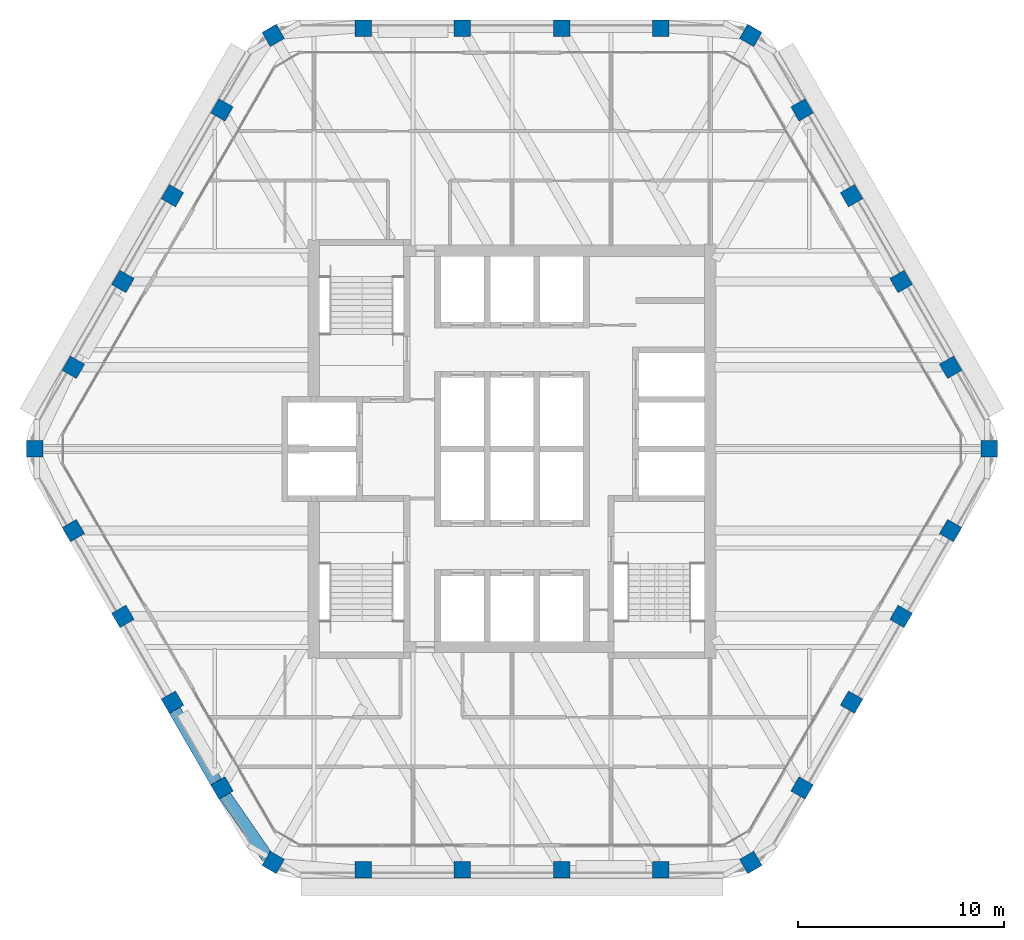
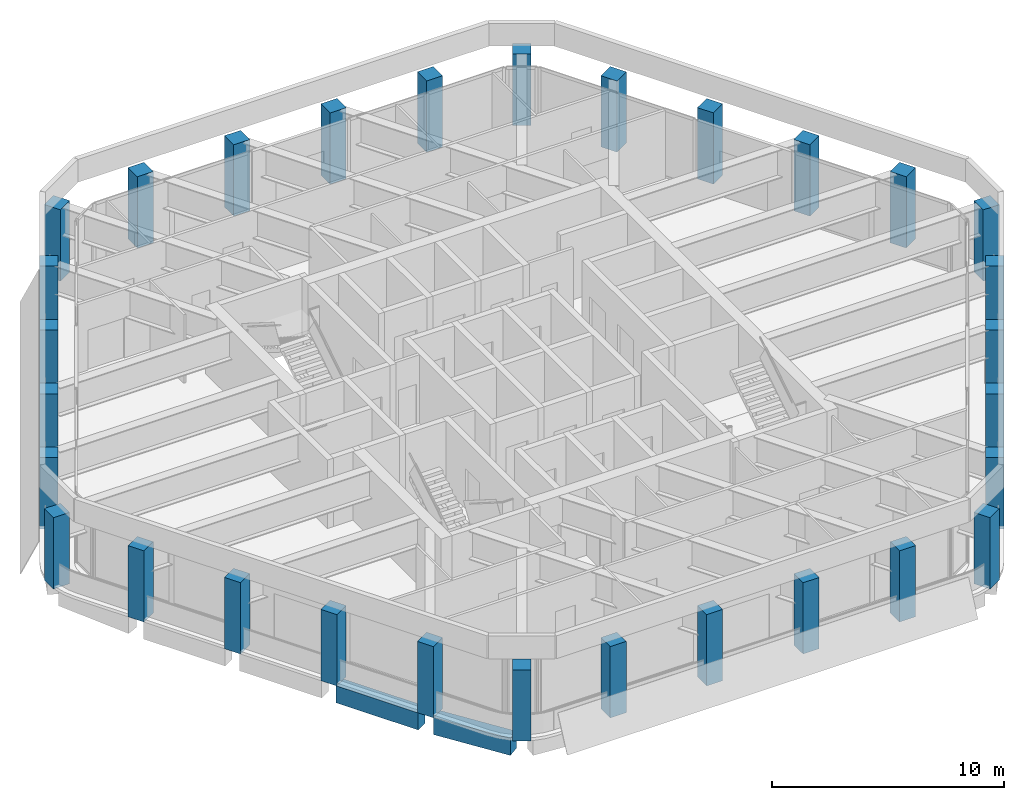
# One storey, part 1 of 14: 30 columns, 2 beams.
"""IFC4 building model written with IfcOpenShell, lengths in metres."""

from ifc_helpers import new_model, si_unit, direction, frame, origin, origin_2d, place, context, subcontext, project, spatial, rectangle, extrude, material, material_profile, profile_set, type_object, element, save


model = new_model("IFC4")

# Units and contexts
model_context = context("Model", 3, precision=1e-05, world=origin(), true_north=direction((0.0, 1.0)))
body_context = subcontext(model_context, "Body", "Model", "MODEL_VIEW")
ifc_project = project(units=[si_unit("LENGTHUNIT", "METRE"), si_unit("AREAUNIT", "SQUARE_METRE"), si_unit("VOLUMEUNIT", "CUBIC_METRE"), si_unit("PLANEANGLEUNIT", "RADIAN"), si_unit("MASSUNIT", "GRAM", prefix="KILO")], contexts=[model_context])

# Site, building, storey
site_placement = place(None, origin())
site = spatial("IfcSite", under=ifc_project, at=site_placement, CompositionType="ELEMENT")
building_placement = place(site_placement, origin())
building = spatial("IfcBuilding", under=site, at=building_placement, Name="Kolab Exchange Tower", CompositionType="ELEMENT")
storey_placement = place(building_placement, frame((0.0, 0.0, 293.0)))
storey = spatial("IfcBuildingStorey", under=building, at=storey_placement, Name="L66", CompositionType="ELEMENT", Elevation=293.0)

# Columns
ifc_material = material(Name="Concrete C50/60", Category="concrete")
ifc_material_profile_1 = material_profile(ifc_material, rectangle(XDim=0.800048828125, YDim=0.800048828125, at=origin_2d()), Name="RC800")
ifc_profile_set_1 = profile_set([ifc_material_profile_1], Name="Concrete C50/60")
column_type = type_object("IfcColumnType", Name="PERIMETER COLUMN 800 SQ C50/60", PredefinedType="COLUMN", material=ifc_profile_set_1)
for number, where, z_axis, x_axis, name in (
    (1, (-11.56787109375, 20.036376953125, -0.14990234375), (0.0, 0.0, 1.0), (0.866025403784, 0.5, 0.0), "col/L66/F1-01"),
    (2, (-7.199951171875, 20.384521484375, -0.14990234375), (0.0, 0.0, 1.0), (1.0, 0.0, 0.0), "col/L66/F1-02"),
    (3, (-2.39990234375, 20.384521484375, -0.14990234375), (0.0, 0.0, 1.0), (1.0, 0.0, 0.0), "col/L66/F1-03"),
    (4, (2.39990234375, 20.384521484375, -0.14990234375), (0.0, 0.0, 1.0), (1.0, 0.0, 0.0), "col/L66/F1-04"),
    (5, (7.199951171875, 20.384521484375, -0.14990234375), (0.0, 0.0, 1.0), (1.0, 0.0, 0.0), "col/L66/F1-05"),
    (6, (11.56787109375, 20.036376953125, -0.14990234375), (0.0, 0.0, 1.0), (0.5, 0.866025403784, 0.0), "col/L66/F2-01"),
    (7, (14.0537109375, 16.427734375, -0.14990234375), (0.0, 0.0, 1.0), (0.866025403784, 0.5, 0.0), "col/L66/F2-02"),
    (8, (16.45361328125, 12.270751953125, -0.14990234375), (0.0, 0.0, 1.0), (0.866025403784, 0.5, 0.0), "col/L66/F2-03"),
    (9, (18.853515625, 8.11376953125, -0.14990234375), (0.0, 0.0, 1.0), (0.866025403784, 0.5, 0.0), "col/L66/F2-04"),
    (10, (21.253662109375, 3.95703125, -0.14990234375), (0.0, 0.0, 1.0), (0.866025403784, 0.5, 0.0), "col/L66/F2-05"),
    (11, (23.135986328125, 0.0, -0.14990234375), (0.0, 0.0, 1.0), (1.0, 0.0, 0.0), "col/L66/F3-01"),
    (12, (21.253662109375, -3.95703125, -0.14990234375), (0.0, 0.0, 1.0), (0.5, 0.866025403784, 0.0), "col/L66/F3-02"),
    (13, (18.853515625, -8.11376953125, -0.14990234375), (0.0, 0.0, 1.0), (0.5, 0.866025403784, 0.0), "col/L66/F3-03"),
    (14, (16.45361328125, -12.270751953125, -0.14990234375), (0.0, 0.0, 1.0), (0.5, 0.866025403784, 0.0), "col/L66/F3-04"),
    (15, (14.0537109375, -16.427734375, -0.14990234375), (0.0, 0.0, 1.0), (0.5, 0.866025403784, 0.0), "col/L66/F3-05"),
    (16, (11.56787109375, -20.036376953125, -0.14990234375), (0.0, 0.0, 1.0), (0.866025403784, 0.5, 0.0), "col/L66/F4-01"),
    (17, (7.199951171875, -20.384521484375, -0.14990234375), (0.0, 0.0, 1.0), (1.0, 0.0, 0.0), "col/L66/F4-02"),
    (18, (2.39990234375, -20.384521484375, -0.14990234375), (0.0, 0.0, 1.0), (1.0, 0.0, 0.0), "col/L66/F4-03"),
    (19, (-2.39990234375, -20.384521484375, -0.14990234375), (0.0, 0.0, 1.0), (1.0, 0.0, 0.0), "col/L66/F4-04"),
    (20, (-7.199951171875, -20.384521484375, -0.14990234375), (0.0, 0.0, 1.0), (1.0, 0.0, 0.0), "col/L66/F4-05"),
    (21, (-11.56787109375, -20.036376953125, -0.14990234375), (0.0, 0.0, 1.0), (0.5, 0.866025403784, 0.0), "col/L66/F5-01"),
    (22, (-14.0537109375, -16.427734375, -0.14990234375), (0.0, 0.0, 1.0), (0.866025403784, 0.5, 0.0), "col/L66/F5-02"),
    (23, (-16.45361328125, -12.270751953125, -0.14990234375), (0.0, 0.0, 1.0), (0.866025403784, 0.5, 0.0), "col/L66/F5-03"),
    (24, (-18.853515625, -8.11376953125, -0.14990234375), (0.0, 0.0, 1.0), (0.866025403784, 0.5, 0.0), "col/L66/F5-04"),
    (25, (-21.253662109375, -3.95703125, -0.14990234375), (0.0, 0.0, 1.0), (0.866025403784, 0.5, 0.0), "col/L66/F5-05"),
    (26, (-23.135986328125, 0.0, -0.14990234375), (0.0, 0.0, 1.0), (1.0, 0.0, 0.0), "col/L66/F6-01"),
    (27, (-21.253662109375, 3.95703125, -0.14990234375), (0.0, 0.0, 1.0), (0.5, 0.866025403784, 0.0), "col/L66/F6-02"),
    (28, (-18.853515625, 8.11376953125, -0.14990234375), (0.0, 0.0, 1.0), (0.5, 0.866025403784, 0.0), "col/L66/F6-03"),
    (29, (-16.45361328125, 12.270751953125, -0.14990234375), (0.0, 0.0, 1.0), (0.5, 0.866025403784, 0.0), "col/L66/F6-04"),
    (30, (-14.0537109375, 16.427734375, -0.14990234375), (0.0, 0.0, 1.0), (0.5, 0.866025403784, 0.0), "col/L66/F6-05"),
):
    element("IfcColumn", number, at=place(storey_placement, frame(where, z_axis=z_axis, x_axis=x_axis)), inside=storey, type_object=column_type, Name=name, PredefinedType="COLUMN", context=body_context, shape_type="SweptSolid", body=[
        extrude(rectangle(XDim=0.800048828125, YDim=0.800048828125, at=origin_2d()), origin(), (0.0, 0.0, 1.0), 3.75),
    ])

# Beams
ifc_material_profile_2 = material_profile(ifc_material, rectangle(XDim=0.60009765625, YDim=0.89990234375, at=origin_2d()), Name="RC600X900")
ifc_profile_set_2 = profile_set([ifc_material_profile_2], Name="Concrete C50/60")
beam_type = type_object("IfcBeamType", Name="SPANDREL BEAM 600X900 C50/60", PredefinedType="BEAM", material=ifc_profile_set_2)
beam_1_placement = place(storey_placement, frame((-11.846923828125, -19.7919921875, -0.60009765625), z_axis=(-0.569005808573, 0.822333502789, 0.0), x_axis=(-0.822333502789, -0.569005808573, 0.0)))
element("IfcBeam", 31, at=beam_1_placement, inside=storey, type_object=beam_type, Name="beam/L66/sp/F5-01", PredefinedType="BEAM", context=body_context, shape_type="SweptSolid", body=[
    extrude(rectangle(XDim=0.60009765625, YDim=0.89990234375, at=origin_2d()), origin(), (0.0, 0.0, 1.0), 3.6689453125),
])
beam_2_placement = place(storey_placement, frame((-14.3203125, -16.166015625, -0.60009765625), z_axis=(-0.499955548806, 0.866051066172, 0.0), x_axis=(-0.866051066172, -0.499955548806, 0.0)))
element("IfcBeam", 32, at=beam_2_placement, inside=storey, type_object=beam_type, Name="beam/L66/sp/F5-02", PredefinedType="BEAM", context=body_context, shape_type="SweptSolid", body=[
    extrude(rectangle(XDim=0.60009765625, YDim=0.89990234375, at=origin_2d()), origin(), (0.0, 0.0, 1.0), 4.079833984375),
])

save(model, "model.ifc")
